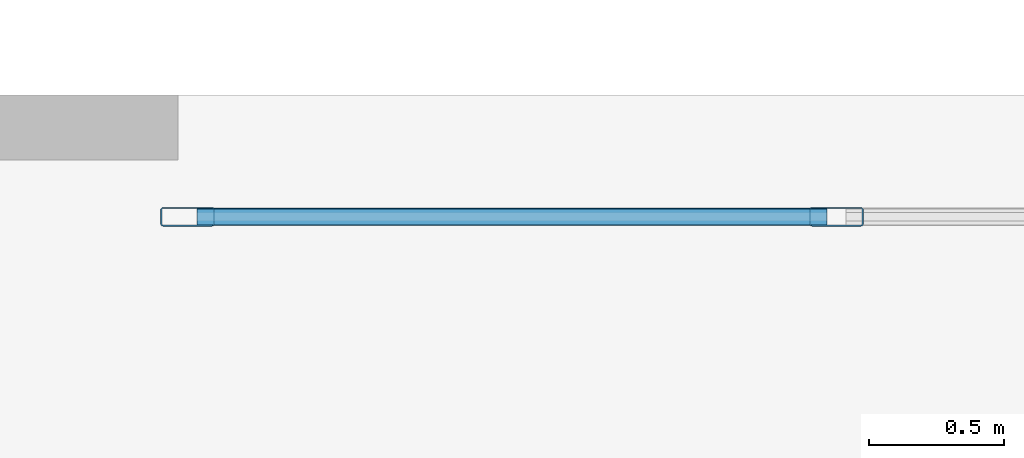
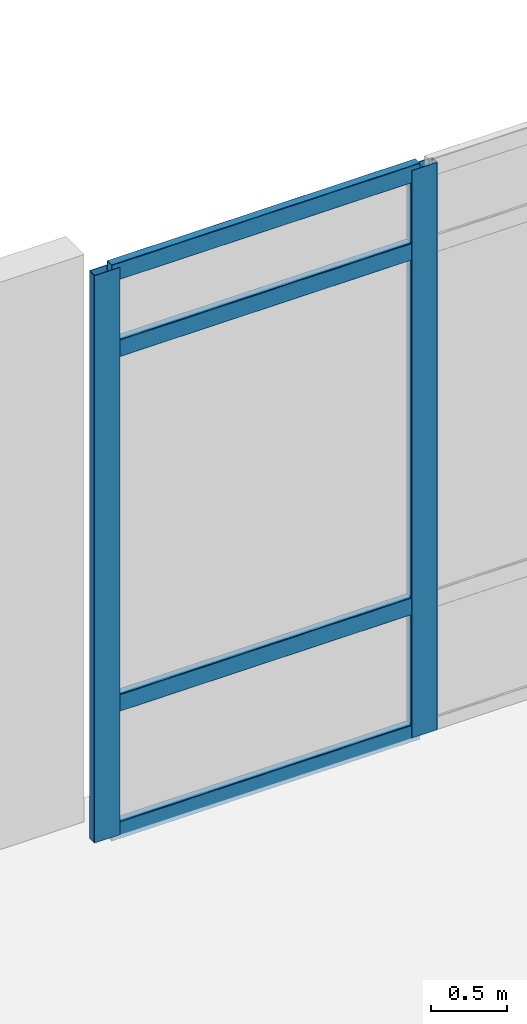
# One storey, part 60 of 172: 6 members, 1 element without a shape of its own.
"""IFC4 building model written with IfcOpenShell, lengths in metres."""

from ifc_helpers import new_model, si_unit, direction, frame, origin, origin_2d, place, context, subcontext, project, spatial, hollow_rectangle, extrude, material, layer, layer_set, material_profile, profile_set, type_object, element, aggregate, save


model = new_model("IFC4")

# Units and contexts
model_context = context("Model", 3, precision=1e-05, world=origin(), true_north=direction((0.0, 1.0)))
body_context = subcontext(model_context, "Body", "Model", "MODEL_VIEW")
ifc_project = project(units=[si_unit("LENGTHUNIT", "METRE"), si_unit("AREAUNIT", "SQUARE_METRE"), si_unit("VOLUMEUNIT", "CUBIC_METRE"), si_unit("PLANEANGLEUNIT", "RADIAN"), si_unit("MASSUNIT", "GRAM", prefix="KILO")], contexts=[model_context])

# Site, building, storey
site_placement = place(None, origin())
site = spatial("IfcSite", under=ifc_project, at=site_placement, CompositionType="ELEMENT")
building_placement = place(site_placement, origin())
building = spatial("IfcBuilding", under=site, at=building_placement, Name="Kazehara Bluff Congress Hotel", CompositionType="ELEMENT")
storey_placement = place(building_placement, frame((0.0, 0.0, 5.39990234375)))
storey = spatial("IfcBuildingStorey", under=building, at=storey_placement, Name="L01", CompositionType="ELEMENT", Elevation=5.39990234375)

# Curtain wall, members
ifc_material_1 = material(Name="Anodised aluminium", Category="aluminium")
ifc_layer = layer(ifc_material_1, 0.159912109375)
ifc_layer_set = layer_set([ifc_layer], Name="Anodised aluminium")
curtain_wall_type = type_object("IfcCurtainWallType", Name="TP-CW-48", PredefinedType="NOTDEFINED", material=ifc_layer_set)
curtain_wall_placement = place(storey_placement, origin())
curtain_wall = element("IfcCurtainWall", 1, at=curtain_wall_placement, inside=storey, type_object=curtain_wall_type, Name="L01 curtain wall CW-48 CW-V5-L01-Y3955-12745", PredefinedType="NOTDEFINED")
ifc_material_2 = material(Name="Anodised aluminium", Category="aluminium")
ifc_material_profile_1 = material_profile(ifc_material_2, hollow_rectangle(XDim=0.070068359375, YDim=0.199951171875, WallThickness=0.0048828125, InnerFilletRadius=0.0048828125, OuterFilletRadius=0.010009765625, at=origin_2d()))
ifc_profile_set_1 = profile_set([ifc_material_profile_1], Name="Anodised aluminium")
member_type_1 = type_object("IfcMemberType", Name="TP-CWM-03", PredefinedType="MULLION", material=ifc_profile_set_1)
member_1_placement = place(storey_placement, frame((127.485107421875, 39.550048828125, 0.0), z_axis=(0.0, 0.0, 1.0), x_axis=(0.0, 1.0, 0.0)))
member_1 = element("IfcMember", 2, at=member_1_placement, type_object=member_type_1, Name="CW-48 mullion 1", PredefinedType="MULLION", context=body_context, shape_type="SweptSolid", body=[
    extrude(hollow_rectangle(XDim=0.070068359375, YDim=0.199951171875, WallThickness=0.0048828125, InnerFilletRadius=0.0048828125, OuterFilletRadius=0.010009765625, at=origin_2d()), origin(), (0.0, 0.0, 1.0), 4.53515625),
])
member_2_placement = place(storey_placement, frame((129.88330078125, 39.550048828125, 0.0), z_axis=(0.0, 0.0, 1.0), x_axis=(0.0, 1.0, 0.0)))
member_2 = element("IfcMember", 3, at=member_2_placement, type_object=member_type_1, Name="CW-48 mullion 2", PredefinedType="MULLION", context=body_context, shape_type="SweptSolid", body=[
    extrude(hollow_rectangle(XDim=0.070068359375, YDim=0.199951171875, WallThickness=0.0048828125, InnerFilletRadius=0.0048828125, OuterFilletRadius=0.010009765625, at=origin_2d()), origin(), (0.0, 0.0, 1.0), 4.53515625),
])
ifc_material_3 = material(Name="Anodised aluminium", Category="aluminium")
ifc_material_profile_2 = material_profile(ifc_material_3, hollow_rectangle(XDim=0.06494140625, YDim=0.139892578125, WallThickness=0.00390625, InnerFilletRadius=0.00390625, OuterFilletRadius=0.008056640625, at=origin_2d()))
ifc_profile_set_2 = profile_set([ifc_material_profile_2], Name="Anodised aluminium")
member_type_2 = type_object("IfcMemberType", Name="TP-CWT-02", PredefinedType="USERDEFINED", material=ifc_profile_set_2)
member_3_placement = place(storey_placement, frame((127.52001953125, 39.550048828125, 0.03271484375), z_axis=(1.0, 0.0, 0.0), x_axis=(0.0, 1.0, 0.0)))
member_3 = element("IfcMember", 4, at=member_3_placement, type_object=member_type_2, Name="CW-48 transom 1.1", ObjectType="TRANSOM", PredefinedType="USERDEFINED", context=body_context, shape_type="SweptSolid", body=[
    extrude(hollow_rectangle(XDim=0.06494140625, YDim=0.139892578125, WallThickness=0.00390625, InnerFilletRadius=0.00390625, OuterFilletRadius=0.008056640625, at=origin_2d()), origin(), (0.0, 0.0, 1.0), 2.328369140625),
])
member_4_placement = place(storey_placement, frame((127.52001953125, 39.550048828125, 1.050048828125), z_axis=(1.0, 0.0, 0.0), x_axis=(0.0, 1.0, 0.0)))
member_4 = element("IfcMember", 5, at=member_4_placement, type_object=member_type_2, Name="CW-48 transom 1.2", ObjectType="TRANSOM", PredefinedType="USERDEFINED", context=body_context, shape_type="SweptSolid", body=[
    extrude(hollow_rectangle(XDim=0.06494140625, YDim=0.139892578125, WallThickness=0.00390625, InnerFilletRadius=0.00390625, OuterFilletRadius=0.008056640625, at=origin_2d()), origin(), (0.0, 0.0, 1.0), 2.328369140625),
])
member_5_placement = place(storey_placement, frame((127.52001953125, 39.550048828125, 3.885009765625), z_axis=(1.0, 0.0, 0.0), x_axis=(0.0, 1.0, 0.0)))
member_5 = element("IfcMember", 6, at=member_5_placement, type_object=member_type_2, Name="CW-48 transom 1.3", ObjectType="TRANSOM", PredefinedType="USERDEFINED", context=body_context, shape_type="SweptSolid", body=[
    extrude(hollow_rectangle(XDim=0.06494140625, YDim=0.139892578125, WallThickness=0.00390625, InnerFilletRadius=0.00390625, OuterFilletRadius=0.008056640625, at=origin_2d()), origin(), (0.0, 0.0, 1.0), 2.328369140625),
])
member_6_placement = place(storey_placement, frame((127.52001953125, 39.550048828125, 4.502685546875), z_axis=(1.0, 0.0, 0.0), x_axis=(0.0, 1.0, 0.0)))
member_6 = element("IfcMember", 7, at=member_6_placement, type_object=member_type_2, Name="CW-48 transom 1.4", ObjectType="TRANSOM", PredefinedType="USERDEFINED", context=body_context, shape_type="SweptSolid", body=[
    extrude(hollow_rectangle(XDim=0.06494140625, YDim=0.139892578125, WallThickness=0.00390625, InnerFilletRadius=0.00390625, OuterFilletRadius=0.008056640625, at=origin_2d()), origin(), (0.0, 0.0, 1.0), 2.328369140625),
])
aggregate(curtain_wall, [member_1, member_2, member_3, member_4, member_5, member_6])

save(model, "model.ifc")
